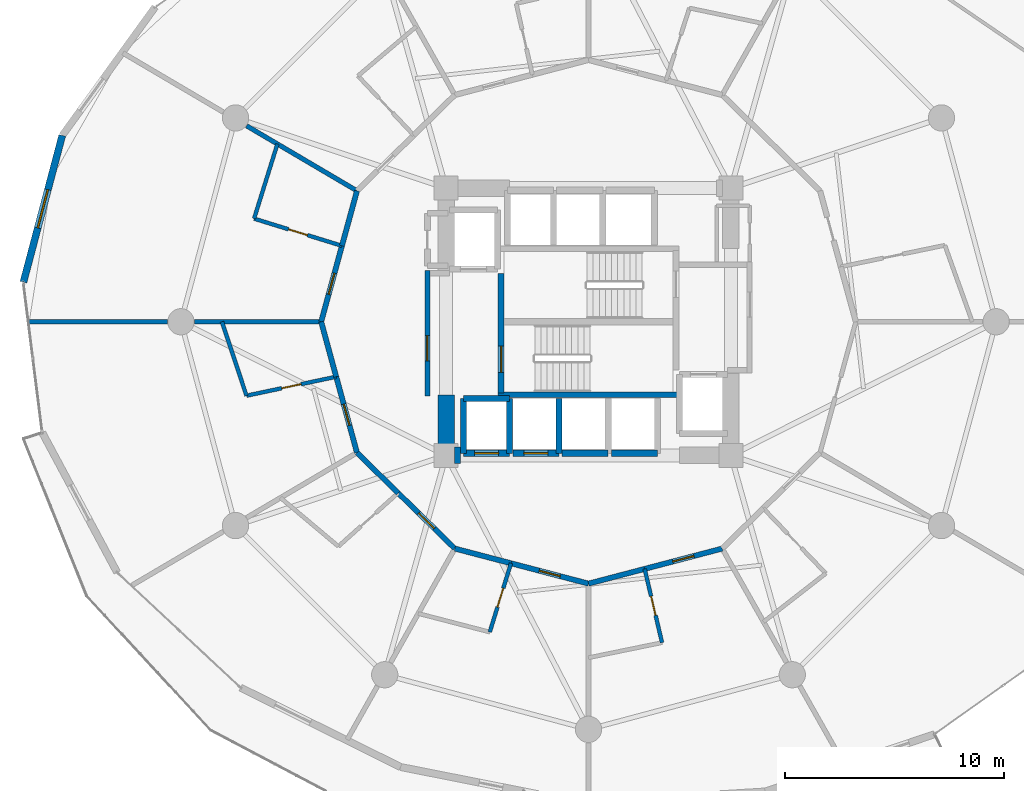
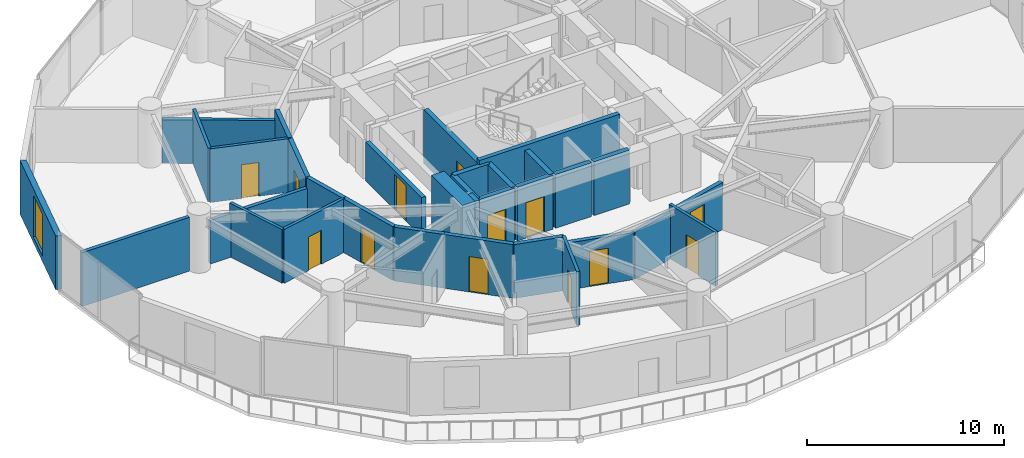
# One storey, part 20 of 26: 33 walls, 13 doors, 1 window, 14 openings.
"""IFC4 building model written with IfcOpenShell, lengths in metres."""

from ifc_helpers import new_model, si_unit, direction, frame, frame_2d, origin, place, context, subcontext, project, spatial, rectangle, extrude, material, layer, layer_set, type_object, element, fill, save


model = new_model("IFC4")

# Units and contexts
model_context = context("Model", 3, precision=1e-05, world=origin(), true_north=direction((0.0, 1.0)))
body_context = subcontext(model_context, "Body", "Model", "MODEL_VIEW")
ifc_project = project(units=[si_unit("LENGTHUNIT", "METRE"), si_unit("AREAUNIT", "SQUARE_METRE"), si_unit("VOLUMEUNIT", "CUBIC_METRE"), si_unit("PLANEANGLEUNIT", "RADIAN"), si_unit("MASSUNIT", "GRAM", prefix="KILO")], contexts=[model_context])

# Site, building, storey
site_placement = place(None, origin())
site = spatial("IfcSite", under=ifc_project, at=site_placement, CompositionType="ELEMENT")
building_placement = place(site_placement, origin())
building = spatial("IfcBuilding", under=site, at=building_placement, Name="Solvirekh Grand Hotel", CompositionType="ELEMENT")
storey_placement = place(building_placement, frame((0.0, 0.0, 32.0)))
storey = spatial("IfcBuildingStorey", under=building, at=storey_placement, Name="L06", CompositionType="ELEMENT", Elevation=32.0)

# Wall
ifc_material_1 = material(Name="Concrete C50/60", Category="concrete")
ifc_layer_1 = layer(ifc_material_1, 0.35009765625)
ifc_layer_set_1 = layer_set([ifc_layer_1], Name="Concrete C50/60")
wall_type_1 = type_object("IfcWallType", Name="CoreDivWall_RC350", PredefinedType="SOLIDWALL", material=ifc_layer_set_1)
wall_1_placement = place(storey_placement, frame((-4.1298828125, -3.324951171875, 0.0), z_axis=(0.0, 0.0, 1.0), x_axis=(1.0, 0.0, 0.0)))
element("IfcWall", 1, at=wall_1_placement, inside=storey, type_object=wall_type_1, Name="L06 core stair box wall ST-S", PredefinedType="SOLIDWALL", context=body_context, shape_type="SweptSolid", body=[
    extrude(rectangle(XDim=8.259765625, YDim=0.25, at=frame_2d((4.1298828125, 0.0))), origin(), (0.0, 0.0, 1.0), 3.60009765625),
])

# Wall, opening, door
ifc_material_2 = material(Name="Concrete C40/50", Category="concrete")
ifc_layer_2 = layer(ifc_material_2, 0.280029296875)
ifc_layer_set_2 = layer_set([ifc_layer_2], Name="Concrete C40/50")
wall_type_2 = type_object("IfcWallType", Name="CoreShaftWall_RC280", PredefinedType="SOLIDWALL", material=ifc_layer_set_2)
wall_2_placement = place(storey_placement, frame((-5.699951171875, -6.0, 0.0), z_axis=(0.0, 0.0, 1.0), x_axis=(1.0, 0.0, 0.0)))
wall_2 = element("IfcWall", 2, at=wall_2_placement, inside=storey, type_object=wall_type_2, Name="L06 LP-1 hoistway S wall", PredefinedType="SOLIDWALL", context=body_context, shape_type="SweptSolid", body=[
    extrude(rectangle(XDim=2.099853515625, YDim=0.280029296875, at=frame_2d((1.0498046875, 0.0))), origin(), (0.0, 0.0, 1.0), 3.340087890625),
])
opening_1_placement = place(wall_2_placement, frame((0.5, 0.0, 0.0)))
opening_1 = element("IfcOpeningElement", 3, at=opening_1_placement, cuts=wall_2, Name="Opening LD01", PredefinedType="OPENING", context=body_context, shape_type="SweptSolid", body=[
    extrude(rectangle(XDim=1.10009765625, YDim=2.199951171875, at=frame_2d((0.550048828125, 1.10009765625))), frame((0.0, 0.14990234375, 0.0), z_axis=(0.0, -1.0, 0.0), x_axis=(1.0, 0.0, 0.0)), (0.0, 0.0, 1.0), 0.300048828125),
])
ifc_material_3 = material(Name="Fire-Rated Steel Door Assembly", Category="steel")
door_type_1 = type_object("IfcDoorType", Name="Door_LiftLanding_1100X2200", OperationType="SLIDING_TO_LEFT", PredefinedType="DOOR", material=ifc_material_3)
door_1_placement = place(opening_1_placement, origin())
door_1 = element("IfcDoor", 4, at=door_1_placement, inside=storey, type_object=door_type_1, Name="L06 LP-1 sliding lift landing door", OperationType="SLIDING_TO_LEFT", OverallHeight=2.199951171875, OverallWidth=1.10009765625, PredefinedType="DOOR", context=body_context, shape_type="SweptSolid", body=[
    extrude(rectangle(XDim=1.10009765625, YDim=2.199951171875, at=frame_2d((0.550048828125, 1.10009765625))), frame((0.0, 0.02490234375, 0.0), z_axis=(0.0, -1.0, 0.0), x_axis=(1.0, 0.0, 0.0)), (0.0, 0.0, 1.0), 0.050048828125),
])
fill(opening_1, door_1)

# Walls
wall_3_placement = place(storey_placement, frame((-3.60009765625, -3.5, 0.0), z_axis=(0.0, 0.0, 1.0), x_axis=(-1.0, 0.0, 0.0)))
element("IfcWall", 5, at=wall_3_placement, inside=storey, type_object=wall_type_2, Name="L06 LP-1 hoistway N wall", PredefinedType="SOLIDWALL", context=body_context, shape_type="SweptSolid", body=[
    extrude(rectangle(XDim=2.099853515625, YDim=0.280029296875, at=frame_2d((1.0498046875, 0.0))), origin(), (0.0, 0.0, 1.0), 3.340087890625),
])
for number, where, z_axis, x_axis, name in (
    (6, (-5.699951171875, -3.5, 0.0), (0.0, 0.0, 1.0), (0.0, -1.0, 0.0), "L06 LP-1 hoistway W wall"),
    (7, (-3.60009765625, -6.0, 0.0), (0.0, 0.0, 1.0), (0.0, 1.0, 0.0), "L06 LP-1 hoistway E wall"),
):
    element("IfcWall", number, at=place(storey_placement, frame(where, z_axis=z_axis, x_axis=x_axis)), inside=storey, type_object=wall_type_2, Name=name, PredefinedType="SOLIDWALL", context=body_context, shape_type="SweptSolid", body=[
        extrude(rectangle(XDim=2.5, YDim=0.280029296875, at=frame_2d((1.25, 0.0))), origin(), (0.0, 0.0, 1.0), 3.340087890625),
    ])

# Wall, opening, door
wall_4_placement = place(storey_placement, frame((-3.449951171875, -6.0, 0.0), z_axis=(0.0, 0.0, 1.0), x_axis=(1.0, 0.0, 0.0)))
wall_4 = element("IfcWall", 8, at=wall_4_placement, inside=storey, type_object=wall_type_2, Name="L06 LP-2 hoistway S wall", PredefinedType="SOLIDWALL", context=body_context, shape_type="SweptSolid", body=[
    extrude(rectangle(XDim=2.099853515625, YDim=0.280029296875, at=frame_2d((1.0498046875, 0.0))), origin(), (0.0, 0.0, 1.0), 3.340087890625),
])
opening_2_placement = place(wall_4_placement, frame((0.5, 0.0, 0.0)))
opening_2 = element("IfcOpeningElement", 9, at=opening_2_placement, cuts=wall_4, Name="Opening LD01", PredefinedType="OPENING", context=body_context, shape_type="SweptSolid", body=[
    extrude(rectangle(XDim=1.10009765625, YDim=2.199951171875, at=frame_2d((0.550048828125, 1.10009765625))), frame((0.0, 0.14990234375, 0.0), z_axis=(0.0, -1.0, 0.0), x_axis=(1.0, 0.0, 0.0)), (0.0, 0.0, 1.0), 0.300048828125),
])
door_2_placement = place(opening_2_placement, origin())
door_2 = element("IfcDoor", 10, at=door_2_placement, inside=storey, type_object=door_type_1, Name="L06 LP-2 sliding lift landing door", OperationType="SLIDING_TO_LEFT", OverallHeight=2.199951171875, OverallWidth=1.10009765625, PredefinedType="DOOR", context=body_context, shape_type="SweptSolid", body=[
    extrude(rectangle(XDim=1.10009765625, YDim=2.199951171875, at=frame_2d((0.550048828125, 1.10009765625))), frame((0.0, 0.02490234375, 0.0), z_axis=(0.0, -1.0, 0.0), x_axis=(1.0, 0.0, 0.0)), (0.0, 0.0, 1.0), 0.050048828125),
])
fill(opening_2, door_2)

# Walls
wall_5_placement = place(storey_placement, frame((-1.35009765625, -6.0, 0.0), z_axis=(0.0, 0.0, 1.0), x_axis=(0.0, 1.0, 0.0)))
element("IfcWall", 11, at=wall_5_placement, inside=storey, type_object=wall_type_2, Name="L06 LP-2 hoistway E wall", PredefinedType="SOLIDWALL", context=body_context, shape_type="SweptSolid", body=[
    extrude(rectangle(XDim=2.5, YDim=0.280029296875, at=frame_2d((1.25, 0.0))), origin(), (0.0, 0.0, 1.0), 3.340087890625),
])
for number, where, z_axis, x_axis, name in (
    (12, (-1.199951171875, -6.0, 0.0), (0.0, 0.0, 1.0), (1.0, 0.0, 0.0), "L06 MP-1 hoistway S wall"),
    (13, (1.050048828125, -6.0, 0.0), (0.0, 0.0, 1.0), (1.0, 0.0, 0.0), "L06 MP-2 hoistway S wall"),
):
    element("IfcWall", number, at=place(storey_placement, frame(where, z_axis=z_axis, x_axis=x_axis)), inside=storey, type_object=wall_type_2, Name=name, PredefinedType="SOLIDWALL", context=body_context, shape_type="SweptSolid", body=[
        extrude(rectangle(XDim=2.099853515625, YDim=0.280029296875, at=frame_2d((1.0498046875, 0.0))), origin(), (0.0, 0.0, 1.0), 3.340087890625),
    ])

# Wall, opening, door
wall_6_placement = place(storey_placement, frame((-3.989990234375, -3.25, 0.0), z_axis=(0.0, 0.0, 1.0), x_axis=(0.0, 1.0, 0.0)))
wall_6 = element("IfcWall", 14, at=wall_6_placement, inside=storey, type_object=wall_type_2, Name="L06 west stair landing enclosure wall", PredefinedType="SOLIDWALL", context=body_context, shape_type="SweptSolid", body=[
    extrude(rectangle(XDim=5.4599609375, YDim=0.280029296875, at=frame_2d((2.72998046875, 0.0))), origin(), (0.0, 0.0, 1.0), 3.340087890625),
])
opening_3_placement = place(wall_6_placement, frame((0.93701171875, 0.0, 0.0)))
opening_3 = element("IfcOpeningElement", 15, at=opening_3_placement, cuts=wall_6, Name="Opening D05", PredefinedType="OPENING", context=body_context, shape_type="SweptSolid", body=[
    extrude(rectangle(XDim=1.199951171875, YDim=2.199951171875, at=frame_2d((0.60009765625, 1.10009765625))), frame((0.0, 0.14990234375, 0.0), z_axis=(0.0, -1.0, 0.0), x_axis=(1.0, 0.0, 0.0)), (0.0, 0.0, 1.0), 0.300048828125),
])
door_type_2 = type_object("IfcDoorType", Name="Door_StairCore_1200X2200", OperationType="NOTDEFINED", PredefinedType="DOOR", material=ifc_material_3)
door_3_placement = place(opening_3_placement, origin())
door_3 = element("IfcDoor", 16, at=door_3_placement, inside=storey, type_object=door_type_2, Name="L06 exit stair ST-1 fire door", OperationType="SINGLE_SWING_LEFT", OverallHeight=2.199951171875, OverallWidth=1.199951171875, PredefinedType="DOOR", context=body_context, shape_type="SweptSolid", body=[
    extrude(rectangle(XDim=1.199951171875, YDim=2.199951171875, at=frame_2d((0.60009765625, 1.10009765625))), frame((0.0, 0.02490234375, 0.0), z_axis=(0.0, -1.0, 0.0), x_axis=(1.0, 0.0, 0.0)), (0.0, 0.0, 1.0), 0.050048828125),
])
fill(opening_3, door_3)

# Walls
ifc_material_4 = material(Name="Concrete C60/75", Category="concrete")
ifc_layer_3 = layer(ifc_material_4, 0.75)
ifc_layer_set_3 = layer_set([ifc_layer_3], Name="Concrete C60/75")
wall_type_3 = type_object("IfcWallType", Name="CoreWall_RC750", PredefinedType="SHEAR", material=ifc_layer_set_3)
wall_7_placement = place(storey_placement, frame((-6.125, -6.10009765625, 0.0), z_axis=(0.0, 0.0, 1.0), x_axis=(1.0, 0.0, 0.0)))
element("IfcWall", 17, at=wall_7_placement, inside=storey, type_object=wall_type_3, Name="L06 core corner shear wall SW-S", PredefinedType="SHEAR", context=body_context, shape_type="SweptSolid", body=[
    extrude(rectangle(XDim=0.27490234375, YDim=0.75, at=frame_2d((0.137451171875, 0.0))), origin(), (0.0, 0.0, 1.0), 3.60009765625),
])
wall_8_placement = place(storey_placement, frame((-6.5, -6.47509765625, 0.0), z_axis=(0.0, 0.0, 1.0), x_axis=(0.0, 1.0, 0.0)))
element("IfcWall", 18, at=wall_8_placement, inside=storey, type_object=wall_type_3, Name="L06 core corner shear wall WS-W", PredefinedType="SHEAR", context=body_context, shape_type="SweptSolid", body=[
    extrude(rectangle(XDim=3.125, YDim=0.75, at=frame_2d((1.5625, 0.0))), origin(), (0.0, 0.0, 1.0), 3.60009765625),
])

# Wall, opening, window
ifc_material_5 = material(Name="Precast concrete C45/55", Category="concrete")
ifc_layer_4 = layer(ifc_material_5, 0.320068359375)
ifc_layer_set_4 = layer_set([ifc_layer_4], Name="Precast concrete C45/55")
wall_type_4 = type_object("IfcWallType", Name="ExtLobbyWall_RC320", PredefinedType="SOLIDWALL", material=ifc_layer_set_4)
wall_9_placement = place(storey_placement, frame((-25.7890625, 1.80810546875, 0.0), z_axis=(0.0, 0.0, 1.0), x_axis=(0.255999140835, 0.966677009084, 0.0)))
wall_9 = element("IfcWall", 19, at=wall_9_placement, inside=storey, type_object=wall_type_4, Name="L06 exterior structural wall chord 10", PredefinedType="SOLIDWALL", context=body_context, shape_type="SweptSolid", body=[
    extrude(rectangle(XDim=6.925537109375, YDim=0.320068359375, at=frame_2d((3.462890625, 0.0))), origin(), (0.0, 0.0, 1.0), 3.340087890625),
])
opening_4_placement = place(wall_9_placement, frame((2.56298828125, 0.0, 0.35009765625)))
opening_4 = element("IfcOpeningElement", 20, at=opening_4_placement, cuts=wall_9, Name="Opening W02", PredefinedType="OPENING", context=body_context, shape_type="SweptSolid", body=[
    extrude(rectangle(XDim=1.800048828125, YDim=2.60009765625, at=frame_2d((0.89990234375, 1.300048828125))), frame((0.0, 0.169921875, 0.0), z_axis=(0.0, -1.0, 0.0), x_axis=(1.0, 0.0, 0.0)), (0.0, 0.0, 1.0), 0.340087890625),
])
ifc_material_6 = material(Name="Low-E Tinted Bronze Laminated Glass", Category="aluminium")
window_type = type_object("IfcWindowType", Name="Win_LobbyExt_1800X2600", PartitioningType="SINGLE_PANEL", PredefinedType="WINDOW", material=ifc_material_6)
window_placement = place(opening_4_placement, origin())
window = element("IfcWindow", 21, at=window_placement, inside=storey, type_object=window_type, Name="L06 panoramic bronze-framed window 10", OverallHeight=2.60009765625, OverallWidth=1.800048828125, PartitioningType="SINGLE_PANEL", PredefinedType="WINDOW", context=body_context, shape_type="SweptSolid", body=[
    extrude(rectangle(XDim=1.800048828125, YDim=2.60009765625, at=frame_2d((0.89990234375, 1.300048828125))), frame((0.0, 0.030029296875, 0.0), z_axis=(0.0, -1.0, 0.0), x_axis=(1.0, 0.0, 0.0)), (0.0, 0.0, 1.0), 0.06005859375),
])
fill(opening_4, window)

# Wall, opening, door
ifc_material_7 = material(Name="Acoustic Gypsum Partition Assembly")
ifc_layer_5 = layer(ifc_material_7, 0.239990234375)
ifc_layer_set_5 = layer_set([ifc_layer_5], Name="Acoustic Gypsum Partition Assembly")
wall_type_5 = type_object("IfcWallType", Name="Part_Corridor_240", PredefinedType="PARTITIONING", material=ifc_layer_set_5)
wall_10_placement = place(storey_placement, frame((-7.35009765625, -3.3798828125, 0.0), z_axis=(0.0, 0.0, 1.0), x_axis=(0.0, 1.0, 0.0)))
wall_10 = element("IfcWall", 22, at=wall_10_placement, inside=storey, type_object=wall_type_5, Name="L06 west firefighting lobby smoke screen wall", PredefinedType="PARTITIONING", context=body_context, shape_type="SweptSolid", body=[
    extrude(rectangle(XDim=5.719970703125, YDim=0.239990234375, at=frame_2d((2.85986328125, 0.0))), origin(), (0.0, 0.0, 1.0), 2.425048828125),
])
opening_5_placement = place(wall_10_placement, frame((1.59912109375, 0.0, 0.0)))
opening_5 = element("IfcOpeningElement", 23, at=opening_5_placement, cuts=wall_10, Name="Opening D06", PredefinedType="OPENING", context=body_context, shape_type="SweptSolid", body=[
    extrude(rectangle(XDim=1.14990234375, YDim=2.199951171875, at=frame_2d((0.574951171875, 1.10009765625))), frame((0.0, 0.1298828125, 0.0), z_axis=(0.0, -1.0, 0.0), x_axis=(1.0, 0.0, 0.0)), (0.0, 0.0, 1.0), 0.260009765625),
])
door_type_3 = type_object("IfcDoorType", Name="Door_FFLobby_1150X2200", OperationType="NOTDEFINED", PredefinedType="DOOR", material=ifc_material_3)
door_4_placement = place(opening_5_placement, origin())
door_4 = element("IfcDoor", 24, at=door_4_placement, inside=storey, type_object=door_type_3, Name="L06 west firefighting lobby smoke door", OperationType="SINGLE_SWING_LEFT", OverallHeight=2.199951171875, OverallWidth=1.14990234375, PredefinedType="DOOR", context=body_context, shape_type="SweptSolid", body=[
    extrude(rectangle(XDim=1.14990234375, YDim=2.199951171875, at=frame_2d((0.574951171875, 1.10009765625))), frame((0.0, 0.02490234375, 0.0), z_axis=(0.0, -1.0, 0.0), x_axis=(1.0, 0.0, 0.0)), (0.0, 0.0, 1.0), 0.050048828125),
])
fill(opening_5, door_4)

# Wall
wall_11_placement = place(storey_placement, frame((-10.56591796875, 5.97509765625, 0.0), z_axis=(0.0, 0.0, 1.0), x_axis=(-0.263744763784, -0.964592504416, 0.0)))
element("IfcWall", 25, at=wall_11_placement, inside=storey, type_object=wall_type_5, Name="L06 En-suite Bathroom 0805 corridor backing wall", PredefinedType="PARTITIONING", context=body_context, shape_type="SweptSolid", body=[
    extrude(rectangle(XDim=2.60107421875, YDim=0.239990234375, at=frame_2d((1.300537109375, 0.0))), origin(), (0.0, 0.0, 1.0), 3.340087890625),
])

# Wall, opening, door
wall_12_placement = place(storey_placement, frame((-11.251953125, 3.466064453125, 0.0), z_axis=(0.0, 0.0, 1.0), x_axis=(-0.263818706543, -0.96457228349, 0.0)))
wall_12 = element("IfcWall", 26, at=wall_12_placement, inside=storey, type_object=wall_type_5, Name="L06 Deluxe Guestroom 0805 entrance wall", PredefinedType="PARTITIONING", context=body_context, shape_type="SweptSolid", body=[
    extrude(rectangle(XDim=3.59326171875, YDim=0.239990234375, at=frame_2d((1.796630859375, 0.0))), origin(), (0.0, 0.0, 1.0), 3.340087890625),
])
opening_6_placement = place(wall_12_placement, frame((1.297119140625, 0.0, 0.0)))
opening_6 = element("IfcOpeningElement", 27, at=opening_6_placement, cuts=wall_12, Name="Opening D07", PredefinedType="OPENING", context=body_context, shape_type="SweptSolid", body=[
    extrude(rectangle(XDim=1.0, YDim=2.199951171875, at=frame_2d((0.5, 1.10009765625))), frame((0.0, 0.1298828125, 0.0), z_axis=(0.0, -1.0, 0.0), x_axis=(1.0, 0.0, 0.0)), (0.0, 0.0, 1.0), 0.260009765625),
])
door_type_4 = type_object("IfcDoorType", Name="Door_GuestEntry_1000X2200", OperationType="NOTDEFINED", PredefinedType="DOOR", material=ifc_material_3)
door_5_placement = place(opening_6_placement, origin())
door_5 = element("IfcDoor", 28, at=door_5_placement, inside=storey, type_object=door_type_4, Name="L06 Deluxe Guestroom 0805 entrance door", OperationType="SINGLE_SWING_RIGHT", OverallHeight=2.199951171875, OverallWidth=1.0, PredefinedType="DOOR", context=body_context, shape_type="SweptSolid", body=[
    extrude(rectangle(XDim=1.0, YDim=2.199951171875, at=frame_2d((0.5, 1.10009765625))), frame((0.0, 0.02490234375, 0.0), z_axis=(0.0, -1.0, 0.0), x_axis=(1.0, 0.0, 0.0)), (0.0, 0.0, 1.0), 0.050048828125),
])
fill(opening_6, door_5)

# Wall
wall_13_placement = place(storey_placement, frame((-12.199951171875, 0.0, 0.0), z_axis=(0.0, 0.0, 1.0), x_axis=(0.263744763784, -0.964592504416, 0.0)))
element("IfcWall", 29, at=wall_13_placement, inside=storey, type_object=wall_type_5, Name="L06 En-suite Bathroom 0806 corridor backing wall", PredefinedType="PARTITIONING", context=body_context, shape_type="SweptSolid", body=[
    extrude(rectangle(XDim=2.60107421875, YDim=0.239990234375, at=frame_2d((1.300537109375, 0.0))), origin(), (0.0, 0.0, 1.0), 3.340087890625),
])

# Wall, opening, door
wall_14_placement = place(storey_placement, frame((-11.513916015625, -2.509033203125, 0.0), z_axis=(0.0, 0.0, 1.0), x_axis=(0.263818706543, -0.96457228349, 0.0)))
wall_14 = element("IfcWall", 30, at=wall_14_placement, inside=storey, type_object=wall_type_5, Name="L06 Deluxe Guestroom 0806 entrance wall", PredefinedType="PARTITIONING", context=body_context, shape_type="SweptSolid", body=[
    extrude(rectangle(XDim=3.59326171875, YDim=0.239990234375, at=frame_2d((1.796630859375, 0.0))), origin(), (0.0, 0.0, 1.0), 3.340087890625),
])
opening_7_placement = place(wall_14_placement, frame((1.297119140625, 0.0, 0.0)))
opening_7 = element("IfcOpeningElement", 31, at=opening_7_placement, cuts=wall_14, Name="Opening D07", PredefinedType="OPENING", context=body_context, shape_type="SweptSolid", body=[
    extrude(rectangle(XDim=1.0, YDim=2.199951171875, at=frame_2d((0.5, 1.10009765625))), frame((0.0, 0.1298828125, 0.0), z_axis=(0.0, -1.0, 0.0), x_axis=(1.0, 0.0, 0.0)), (0.0, 0.0, 1.0), 0.260009765625),
])
door_6_placement = place(opening_7_placement, origin())
door_6 = element("IfcDoor", 32, at=door_6_placement, inside=storey, type_object=door_type_4, Name="L06 Deluxe Guestroom 0806 entrance door", OperationType="SINGLE_SWING_RIGHT", OverallHeight=2.199951171875, OverallWidth=1.0, PredefinedType="DOOR", context=body_context, shape_type="SweptSolid", body=[
    extrude(rectangle(XDim=1.0, YDim=2.199951171875, at=frame_2d((0.5, 1.10009765625))), frame((0.0, 0.02490234375, 0.0), z_axis=(0.0, -1.0, 0.0), x_axis=(1.0, 0.0, 0.0)), (0.0, 0.0, 1.0), 0.050048828125),
])
fill(opening_7, door_6)

# Wall
wall_15_placement = place(storey_placement, frame((-10.56591796875, -5.97509765625, 0.0), z_axis=(0.0, 0.0, 1.0), x_axis=(0.714506552913, -0.699628748584, 0.0)))
element("IfcWall", 33, at=wall_15_placement, inside=storey, type_object=wall_type_5, Name="L06 En-suite Bathroom 0807 corridor backing wall", PredefinedType="PARTITIONING", context=body_context, shape_type="SweptSolid", body=[
    extrude(rectangle(XDim=2.62548828125, YDim=0.239990234375, at=frame_2d((1.312744140625, 0.0))), origin(), (0.0, 0.0, 1.0), 3.340087890625),
])

# Wall, opening, door
wall_16_placement = place(storey_placement, frame((-8.68994140625, -7.81201171875, 0.0), z_axis=(0.0, 0.0, 1.0), x_axis=(0.714342093268, -0.699796666029, 0.0)))
wall_16 = element("IfcWall", 34, at=wall_16_placement, inside=storey, type_object=wall_type_5, Name="L06 Deluxe Guestroom 0807 entrance wall", PredefinedType="PARTITIONING", context=body_context, shape_type="SweptSolid", body=[
    extrude(rectangle(XDim=3.62548828125, YDim=0.239990234375, at=frame_2d((1.812744140625, 0.0))), origin(), (0.0, 0.0, 1.0), 3.340087890625),
])
opening_8_placement = place(wall_16_placement, frame((1.31298828125, 0.0, 0.0)))
opening_8 = element("IfcOpeningElement", 35, at=opening_8_placement, cuts=wall_16, Name="Opening D07", PredefinedType="OPENING", context=body_context, shape_type="SweptSolid", body=[
    extrude(rectangle(XDim=1.0, YDim=2.199951171875, at=frame_2d((0.5, 1.10009765625))), frame((0.0, 0.1298828125, 0.0), z_axis=(0.0, -1.0, 0.0), x_axis=(1.0, 0.0, 0.0)), (0.0, 0.0, 1.0), 0.260009765625),
])
door_7_placement = place(opening_8_placement, origin())
door_7 = element("IfcDoor", 36, at=door_7_placement, inside=storey, type_object=door_type_4, Name="L06 Deluxe Guestroom 0807 entrance door", OperationType="SINGLE_SWING_RIGHT", OverallHeight=2.199951171875, OverallWidth=1.0, PredefinedType="DOOR", context=body_context, shape_type="SweptSolid", body=[
    extrude(rectangle(XDim=1.0, YDim=2.199951171875, at=frame_2d((0.5, 1.10009765625))), frame((0.0, 0.02490234375, 0.0), z_axis=(0.0, -1.0, 0.0), x_axis=(1.0, 0.0, 0.0)), (0.0, 0.0, 1.0), 0.050048828125),
])
fill(opening_8, door_7)

# Wall
wall_17_placement = place(storey_placement, frame((-6.10009765625, -10.34912109375, 0.0), z_axis=(0.0, 0.0, 1.0), x_axis=(0.967291490053, -0.253667446219, 0.0)))
element("IfcWall", 37, at=wall_17_placement, inside=storey, type_object=wall_type_5, Name="L06 En-suite Bathroom 0808 corridor backing wall", PredefinedType="PARTITIONING", context=body_context, shape_type="SweptSolid", body=[
    extrude(rectangle(XDim=2.648681640625, YDim=0.239990234375, at=frame_2d((1.32421875, 0.0))), origin(), (0.0, 0.0, 1.0), 3.340087890625),
])

# Wall, opening, door
wall_18_placement = place(storey_placement, frame((-3.5380859375, -11.02099609375, 0.0), z_axis=(0.0, 0.0, 1.0), x_axis=(0.96721703222, -0.253951201187, 0.0)))
wall_18 = element("IfcWall", 38, at=wall_18_placement, inside=storey, type_object=wall_type_5, Name="L06 Deluxe Guestroom 0808 entrance wall", PredefinedType="PARTITIONING", context=body_context, shape_type="SweptSolid", body=[
    extrude(rectangle(XDim=3.657958984375, YDim=0.239990234375, at=frame_2d((1.8291015625, 0.0))), origin(), (0.0, 0.0, 1.0), 2.9189453125),
])
opening_9_placement = place(wall_18_placement, frame((1.3291015625, 0.0, 0.0)))
opening_9 = element("IfcOpeningElement", 39, at=opening_9_placement, cuts=wall_18, Name="Opening D07", PredefinedType="OPENING", context=body_context, shape_type="SweptSolid", body=[
    extrude(rectangle(XDim=1.0, YDim=2.199951171875, at=frame_2d((0.5, 1.10009765625))), frame((0.0, 0.1298828125, 0.0), z_axis=(0.0, -1.0, 0.0), x_axis=(1.0, 0.0, 0.0)), (0.0, 0.0, 1.0), 0.260009765625),
])
door_8_placement = place(opening_9_placement, origin())
door_8 = element("IfcDoor", 40, at=door_8_placement, inside=storey, type_object=door_type_4, Name="L06 Deluxe Guestroom 0808 entrance door", OperationType="SINGLE_SWING_RIGHT", OverallHeight=2.199951171875, OverallWidth=1.0, PredefinedType="DOOR", context=body_context, shape_type="SweptSolid", body=[
    extrude(rectangle(XDim=1.0, YDim=2.199951171875, at=frame_2d((0.5, 1.10009765625))), frame((0.0, 0.02490234375, 0.0), z_axis=(0.0, -1.0, 0.0), x_axis=(1.0, 0.0, 0.0)), (0.0, 0.0, 1.0), 0.050048828125),
])
fill(opening_9, door_8)

# Wall
wall_19_placement = place(storey_placement, frame((0.0, -11.949951171875, 0.0), z_axis=(0.0, 0.0, 1.0), x_axis=(0.967291490053, 0.253667446219, 0.0)))
element("IfcWall", 41, at=wall_19_placement, inside=storey, type_object=wall_type_5, Name="L06 En-suite Bathroom 0809 corridor backing wall", PredefinedType="PARTITIONING", context=body_context, shape_type="SweptSolid", body=[
    extrude(rectangle(XDim=2.648681640625, YDim=0.239990234375, at=frame_2d((1.32421875, 0.0))), origin(), (0.0, 0.0, 1.0), 2.9189453125),
])

# Wall, opening, door
wall_20_placement = place(storey_placement, frame((2.56201171875, -11.278076171875, 0.0), z_axis=(0.0, 0.0, 1.0), x_axis=(0.96721703222, 0.253951201187, 0.0)))
wall_20 = element("IfcWall", 42, at=wall_20_placement, inside=storey, type_object=wall_type_5, Name="L06 Deluxe Guestroom 0809 entrance wall", PredefinedType="PARTITIONING", context=body_context, shape_type="SweptSolid", body=[
    extrude(rectangle(XDim=3.657958984375, YDim=0.239990234375, at=frame_2d((1.8291015625, 0.0))), origin(), (0.0, 0.0, 1.0), 2.9189453125),
])
opening_10_placement = place(wall_20_placement, frame((1.3291015625, 0.0, 0.0)))
opening_10 = element("IfcOpeningElement", 43, at=opening_10_placement, cuts=wall_20, Name="Opening D07", PredefinedType="OPENING", context=body_context, shape_type="SweptSolid", body=[
    extrude(rectangle(XDim=1.0, YDim=2.199951171875, at=frame_2d((0.5, 1.10009765625))), frame((0.0, 0.1298828125, 0.0), z_axis=(0.0, -1.0, 0.0), x_axis=(1.0, 0.0, 0.0)), (0.0, 0.0, 1.0), 0.260009765625),
])
door_9_placement = place(opening_10_placement, origin())
door_9 = element("IfcDoor", 44, at=door_9_placement, inside=storey, type_object=door_type_4, Name="L06 Deluxe Guestroom 0809 entrance door", OperationType="SINGLE_SWING_RIGHT", OverallHeight=2.199951171875, OverallWidth=1.0, PredefinedType="DOOR", context=body_context, shape_type="SweptSolid", body=[
    extrude(rectangle(XDim=1.0, YDim=2.199951171875, at=frame_2d((0.5, 1.10009765625))), frame((0.0, 0.02490234375, 0.0), z_axis=(0.0, -1.0, 0.0), x_axis=(1.0, 0.0, 0.0)), (0.0, 0.0, 1.0), 0.050048828125),
])
fill(opening_10, door_9)

# Walls
ifc_layer_6 = layer(ifc_material_7, 0.2099609375)
ifc_layer_set_6 = layer_set([ifc_layer_6], Name="Acoustic Gypsum Partition Assembly")
wall_type_6 = type_object("IfcWallType", Name="Part_SuiteDemise_210", PredefinedType="PARTITIONING", material=ifc_layer_set_6)
wall_21_placement = place(storey_placement, frame((-10.56591796875, 5.97509765625, 0.0), z_axis=(0.0, 0.0, 1.0), x_axis=(-0.86160761681, 0.507574935014, 0.0)))
element("IfcWall", 45, at=wall_21_placement, inside=storey, type_object=wall_type_6, Name="L06 suite radial wall 6 (A)", PredefinedType="PARTITIONING", context=body_context, shape_type="SweptSolid", body=[
    extrude(rectangle(XDim=5.844970703125, YDim=0.2099609375, at=frame_2d((2.92236328125, 0.0))), origin(), (0.0, 0.0, 1.0), 2.708984375),
])
wall_22_placement = place(storey_placement, frame((-12.199951171875, 0.0, 0.0), z_axis=(0.0, 0.0, 1.0), x_axis=(-1.0, 0.0, 0.0)))
element("IfcWall", 46, at=wall_22_placement, inside=storey, type_object=wall_type_6, Name="L06 suite radial wall 7 (A)", PredefinedType="PARTITIONING", context=body_context, shape_type="SweptSolid", body=[
    extrude(rectangle(XDim=5.780029296875, YDim=0.2099609375, at=frame_2d((2.89013671875, 0.0))), origin(), (0.0, 0.0, 1.0), 2.708984375),
])
wall_23_placement = place(storey_placement, frame((-19.219970703125, 0.0, 0.0), z_axis=(0.0, 0.0, 1.0), x_axis=(-1.0, 0.0, 0.0)))
element("IfcWall", 47, at=wall_23_placement, inside=storey, type_object=wall_type_6, Name="L06 suite radial wall 7 (B)", PredefinedType="PARTITIONING", context=body_context, shape_type="SweptSolid", body=[
    extrude(rectangle(XDim=6.302001953125, YDim=0.2099609375, at=frame_2d((3.15087890625, 0.0))), origin(), (0.0, 0.0, 1.0), 3.340087890625),
])
ifc_layer_7 = layer(ifc_material_7, 0.175048828125)
ifc_layer_set_7 = layer_set([ifc_layer_7], Name="Acoustic Gypsum Partition Assembly")
wall_type_7 = type_object("IfcWallType", Name="Plumb_Ensuite_175", PredefinedType="PLUMBINGWALL", material=ifc_layer_set_7)
wall_24_placement = place(storey_placement, frame((-14.197021484375, 8.114013671875, 0.0), z_axis=(0.0, 0.0, 1.0), x_axis=(-0.298014103634, -0.954561466871, 0.0)))
element("IfcWall", 48, at=wall_24_placement, inside=storey, type_object=wall_type_7, Name="L06 En-suite Bathroom 0805 outer plumbing wall", PredefinedType="PLUMBINGWALL", context=body_context, shape_type="SweptSolid", body=[
    extrude(rectangle(XDim=3.570068359375, YDim=0.175048828125, at=frame_2d((1.78515625, 0.0))), origin(), (0.0, 0.0, 1.0), 3.340087890625),
])

# Wall, opening, door
wall_25_placement = place(storey_placement, frame((-11.251953125, 3.466064453125, 0.0), z_axis=(0.0, 0.0, 1.0), x_axis=(-0.955346516927, 0.295487787557, 0.0)))
wall_25 = element("IfcWall", 49, at=wall_25_placement, inside=storey, type_object=wall_type_7, Name="L06 En-suite Bathroom 0805 entry plumbing wall", PredefinedType="PLUMBINGWALL", context=body_context, shape_type="SweptSolid", body=[
    extrude(rectangle(XDim=4.196533203125, YDim=0.175048828125, at=frame_2d((2.09814453125, 0.0))), origin(), (0.0, 0.0, 1.0), 3.340087890625),
])
opening_11_placement = place(wall_25_placement, frame((1.64794921875, 0.0, 0.0)))
opening_11 = element("IfcOpeningElement", 50, at=opening_11_placement, cuts=wall_25, Name="Opening D09", PredefinedType="OPENING", context=body_context, shape_type="SweptSolid", body=[
    extrude(rectangle(XDim=0.89990234375, YDim=2.10009765625, at=frame_2d((0.449951171875, 1.050048828125))), frame((0.0, 0.09765625, 0.0), z_axis=(0.0, -1.0, 0.0), x_axis=(1.0, 0.0, 0.0)), (0.0, 0.0, 1.0), 0.195068359375),
])
ifc_material_8 = material(Name="Anodized Bronze Aluminium 6063-T6", Category="aluminium")
door_type_5 = type_object("IfcDoorType", Name="Door_Ensuite_900X2100", OperationType="NOTDEFINED", PredefinedType="DOOR", material=ifc_material_8)
door_10_placement = place(opening_11_placement, origin())
door_10 = element("IfcDoor", 51, at=door_10_placement, inside=storey, type_object=door_type_5, Name="L06 En-suite Bathroom 0805 door", OperationType="SINGLE_SWING_LEFT", OverallHeight=2.10009765625, OverallWidth=0.89990234375, PredefinedType="DOOR", context=body_context, shape_type="SweptSolid", body=[
    extrude(rectangle(XDim=0.89990234375, YDim=2.10009765625, at=frame_2d((0.449951171875, 1.050048828125))), frame((0.0, 0.02490234375, 0.0), z_axis=(0.0, -1.0, 0.0), x_axis=(1.0, 0.0, 0.0)), (0.0, 0.0, 1.0), 0.050048828125),
])
fill(opening_11, door_10)

# Wall
wall_26_placement = place(storey_placement, frame((-16.72900390625, 0.0, 0.0), z_axis=(0.0, 0.0, 1.0), x_axis=(0.315898114113, -0.948793118388, 0.0)))
element("IfcWall", 52, at=wall_26_placement, inside=storey, type_object=wall_type_7, Name="L06 En-suite Bathroom 0806 outer plumbing wall", PredefinedType="PLUMBINGWALL", context=body_context, shape_type="SweptSolid", body=[
    extrude(rectangle(XDim=3.55517578125, YDim=0.175048828125, at=frame_2d((1.777587890625, 0.0))), origin(), (0.0, 0.0, 1.0), 3.340087890625),
])

# Wall, opening, door
wall_27_placement = place(storey_placement, frame((-11.513916015625, -2.509033203125, 0.0), z_axis=(0.0, 0.0, 1.0), x_axis=(-0.978427598238, -0.206590016715, 0.0)))
wall_27 = element("IfcWall", 53, at=wall_27_placement, inside=storey, type_object=wall_type_7, Name="L06 En-suite Bathroom 0806 entry plumbing wall", PredefinedType="PLUMBINGWALL", context=body_context, shape_type="SweptSolid", body=[
    extrude(rectangle(XDim=4.182373046875, YDim=0.175048828125, at=frame_2d((2.09130859375, 0.0))), origin(), (0.0, 0.0, 1.0), 3.340087890625),
])
opening_12_placement = place(wall_27_placement, frame((1.64111328125, 0.0, 0.0)))
opening_12 = element("IfcOpeningElement", 54, at=opening_12_placement, cuts=wall_27, Name="Opening D09", PredefinedType="OPENING", context=body_context, shape_type="SweptSolid", body=[
    extrude(rectangle(XDim=0.89990234375, YDim=2.10009765625, at=frame_2d((0.449951171875, 1.050048828125))), frame((0.0, 0.09765625, 0.0), z_axis=(0.0, -1.0, 0.0), x_axis=(1.0, 0.0, 0.0)), (0.0, 0.0, 1.0), 0.195068359375),
])
door_11_placement = place(opening_12_placement, origin())
door_11 = element("IfcDoor", 55, at=door_11_placement, inside=storey, type_object=door_type_5, Name="L06 En-suite Bathroom 0806 door", OperationType="SINGLE_SWING_LEFT", OverallHeight=2.10009765625, OverallWidth=0.89990234375, PredefinedType="DOOR", context=body_context, shape_type="SweptSolid", body=[
    extrude(rectangle(XDim=0.89990234375, YDim=2.10009765625, at=frame_2d((0.449951171875, 1.050048828125))), frame((0.0, 0.02490234375, 0.0), z_axis=(0.0, -1.0, 0.0), x_axis=(1.0, 0.0, 0.0)), (0.0, 0.0, 1.0), 0.050048828125),
])
fill(opening_12, door_11)

wall_28_placement = place(storey_placement, frame((-3.5380859375, -11.02099609375, 0.0), z_axis=(0.0, 0.0, 1.0), x_axis=(-0.294696857094, -0.955590792347, 0.0)))
wall_28 = element("IfcWall", 56, at=wall_28_placement, inside=storey, type_object=wall_type_7, Name="L06 En-suite Bathroom 0808 entry plumbing wall", PredefinedType="PLUMBINGWALL", context=body_context, shape_type="SweptSolid", body=[
    extrude(rectangle(XDim=3.284912109375, YDim=0.175048828125, at=frame_2d((1.642578125, 0.0))), origin(), (0.0, 0.0, 1.0), 3.340087890625),
])
opening_13_placement = place(wall_28_placement, frame((1.19189453125, 0.0, 0.0)))
opening_13 = element("IfcOpeningElement", 57, at=opening_13_placement, cuts=wall_28, Name="Opening D09", PredefinedType="OPENING", context=body_context, shape_type="SweptSolid", body=[
    extrude(rectangle(XDim=0.89990234375, YDim=2.10009765625, at=frame_2d((0.449951171875, 1.050048828125))), frame((0.0, 0.09765625, 0.0), z_axis=(0.0, -1.0, 0.0), x_axis=(1.0, 0.0, 0.0)), (0.0, 0.0, 1.0), 0.195068359375),
])
door_12_placement = place(opening_13_placement, origin())
door_12 = element("IfcDoor", 58, at=door_12_placement, inside=storey, type_object=door_type_5, Name="L06 En-suite Bathroom 0808 door", OperationType="SINGLE_SWING_LEFT", OverallHeight=2.10009765625, OverallWidth=0.89990234375, PredefinedType="DOOR", context=body_context, shape_type="SweptSolid", body=[
    extrude(rectangle(XDim=0.89990234375, YDim=2.10009765625, at=frame_2d((0.449951171875, 1.050048828125))), frame((0.0, 0.02490234375, 0.0), z_axis=(0.0, -1.0, 0.0), x_axis=(1.0, 0.0, 0.0)), (0.0, 0.0, 1.0), 0.050048828125),
])
fill(opening_13, door_12)

wall_29_placement = place(storey_placement, frame((2.56201171875, -11.278076171875, 0.0), z_axis=(0.0, 0.0, 1.0), x_axis=(0.229433036384, -0.973324448381, 0.0)))
wall_29 = element("IfcWall", 59, at=wall_29_placement, inside=storey, type_object=wall_type_7, Name="L06 En-suite Bathroom 0809 entry plumbing wall", PredefinedType="PLUMBINGWALL", context=body_context, shape_type="SweptSolid", body=[
    extrude(rectangle(XDim=3.456298828125, YDim=0.175048828125, at=frame_2d((1.72802734375, 0.0))), origin(), (0.0, 0.0, 1.0), 3.340087890625),
])
opening_14_placement = place(wall_29_placement, frame((1.278076171875, 0.0, 0.0)))
opening_14 = element("IfcOpeningElement", 60, at=opening_14_placement, cuts=wall_29, Name="Opening D09", PredefinedType="OPENING", context=body_context, shape_type="SweptSolid", body=[
    extrude(rectangle(XDim=0.89990234375, YDim=2.10009765625, at=frame_2d((0.449951171875, 1.050048828125))), frame((0.0, 0.09765625, 0.0), z_axis=(0.0, -1.0, 0.0), x_axis=(1.0, 0.0, 0.0)), (0.0, 0.0, 1.0), 0.195068359375),
])
door_13_placement = place(opening_14_placement, origin())
door_13 = element("IfcDoor", 61, at=door_13_placement, inside=storey, type_object=door_type_5, Name="L06 En-suite Bathroom 0809 door", OperationType="SINGLE_SWING_LEFT", OverallHeight=2.10009765625, OverallWidth=0.89990234375, PredefinedType="DOOR", context=body_context, shape_type="SweptSolid", body=[
    extrude(rectangle(XDim=0.89990234375, YDim=2.10009765625, at=frame_2d((0.449951171875, 1.050048828125))), frame((0.0, 0.02490234375, 0.0), z_axis=(0.0, -1.0, 0.0), x_axis=(1.0, 0.0, 0.0)), (0.0, 0.0, 1.0), 0.050048828125),
])
fill(opening_14, door_13)

save(model, "model.ifc")
